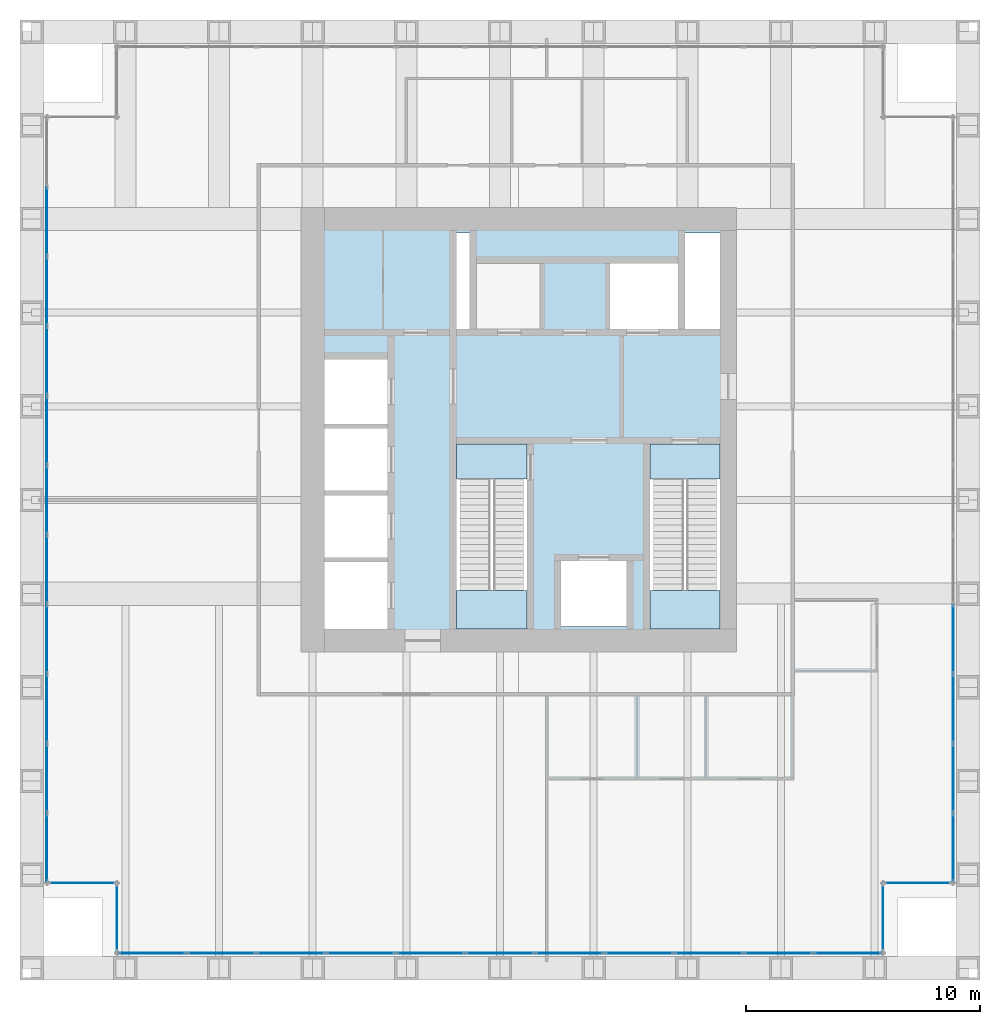
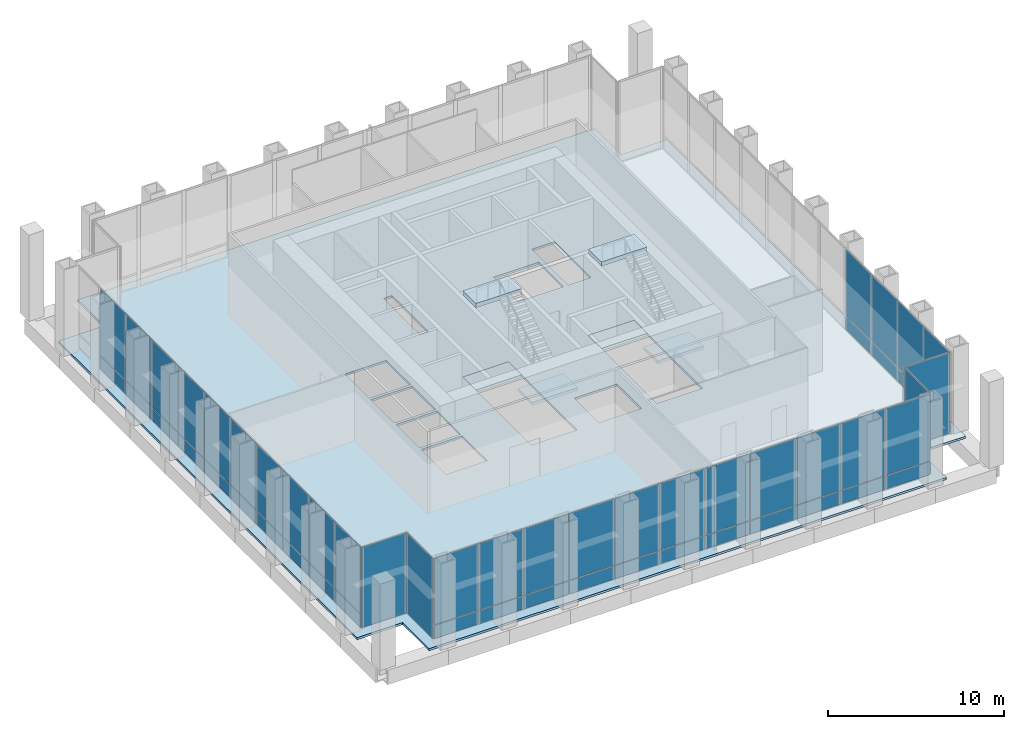
# One storey, part 8 of 12: 54 plates, 7 slabs, 9 elements without a shape of their own.
"""IFC4 building model written with IfcOpenShell, lengths in metres."""

from ifc_helpers import new_model, si_unit, direction, frame, origin, origin_2d, place, context, subcontext, project, spatial, polyline, rectangle, outline, extrude, material, layer, layer_set, type_object, element, aggregate, save


model = new_model("IFC4")

# Units and contexts
model_context = context("Model", 3, precision=1e-05, world=origin(), true_north=direction((0.0, 1.0)))
body_context = subcontext(model_context, "Body", "Model", "MODEL_VIEW")
ifc_project = project(units=[si_unit("LENGTHUNIT", "METRE"), si_unit("AREAUNIT", "SQUARE_METRE"), si_unit("VOLUMEUNIT", "CUBIC_METRE"), si_unit("PLANEANGLEUNIT", "RADIAN"), si_unit("MASSUNIT", "GRAM", prefix="KILO")], contexts=[model_context])

# Site, building, storey
site_placement = place(None, origin())
site = spatial("IfcSite", under=ifc_project, at=site_placement, CompositionType="ELEMENT")
building_placement = place(site_placement, origin())
building = spatial("IfcBuilding", under=site, at=building_placement, Name="Rimbunsela Tower", CompositionType="ELEMENT")
storey_placement = place(building_placement, frame((0.0, 0.0, 298.199951171875)))
storey = spatial("IfcBuildingStorey", under=building, at=storey_placement, Name="L72", CompositionType="ELEMENT", Elevation=298.199951171875)

# Slab
ifc_material_1 = material(Name="Concrete fc' 35 MPa", Category="concrete")
ifc_layer_1 = layer(ifc_material_1, 0.14990234375)
ifc_layer_set_1 = layer_set([ifc_layer_1], Name="Floor slab 150")
slab_type_1 = type_object("IfcSlabType", Name="Floor slab 150", PredefinedType="FLOOR", material=ifc_layer_set_1)
slab_1_placement = place(storey_placement, frame((0.0, 0.0, -0.14990234375)))
element("IfcSlab", 1, at=slab_1_placement, inside=storey, type_object=slab_type_1, Name="Floor slab L72", PredefinedType="FLOOR", context=body_context, shape_type="SweptSolid", body=[
    extrude(outline(polyline([(9.0, 4.0), (43.0, 4.0), (43.0, 7.0), (46.0, 7.0), (46.0, 41.0), (43.0, 41.0), (43.0, 44.0), (9.0, 44.0), (9.0, 41.0), (6.0, 41.0), (6.0, 7.0), (9.0, 7.0), (9.0, 4.0)]), holes=[polyline([(21.199951171875, 21.35009765625), (18.5, 21.35009765625), (18.5, 18.5), (21.199951171875, 18.5), (21.199951171875, 21.35009765625)]), polyline([(21.199951171875, 21.550048828125), (21.199951171875, 24.199951171875), (18.5, 24.199951171875), (18.5, 21.550048828125), (21.199951171875, 21.550048828125)]), polyline([(21.199951171875, 27.050048828125), (18.5, 27.050048828125), (18.5, 24.39990234375), (21.199951171875, 24.39990234375), (21.199951171875, 27.050048828125)]), polyline([(21.199951171875, 30.0), (18.5, 30.0), (18.5, 27.25), (21.199951171875, 27.25), (21.199951171875, 30.0)]), polyline([(27.14990234375, 26.39990234375), (24.14990234375, 26.39990234375), (24.14990234375, 18.60009765625), (27.14990234375, 18.60009765625), (27.14990234375, 26.39990234375)]), polyline([(24.699951171875, 31.300048828125), (24.699951171875, 35.39990234375), (24.14990234375, 35.39990234375), (24.14990234375, 31.300048828125), (24.699951171875, 31.300048828125)]), polyline([(31.39990234375, 21.39990234375), (28.60009765625, 21.39990234375), (28.60009765625, 18.60009765625), (31.39990234375, 18.60009765625), (31.39990234375, 21.39990234375)]), polyline([(33.60009765625, 34.10009765625), (30.60009765625, 34.10009765625), (30.60009765625, 31.300048828125), (33.60009765625, 31.300048828125), (33.60009765625, 34.10009765625)]), polyline([(35.39990234375, 18.60009765625), (35.39990234375, 26.39990234375), (32.39990234375, 26.39990234375), (32.39990234375, 18.60009765625), (35.39990234375, 18.60009765625)]), polyline([(35.39990234375, 31.300048828125), (35.39990234375, 35.39990234375), (33.89990234375, 35.39990234375), (33.89990234375, 31.300048828125), (35.39990234375, 31.300048828125)])]), origin(), (0.0, 0.0, 1.0), 0.14990234375),
])

# Curtain wall, plate
ifc_material_2 = material(Name="Aluminium curtain wall", Category="aluminium")
curtain_wall_type_1 = type_object("IfcCurtainWallType", Name="Corner glazing", PredefinedType="USERDEFINED", material=ifc_material_2)
curtain_wall_1_placement = place(storey_placement, origin())
curtain_wall_1 = element("IfcCurtainWall", 2, at=curtain_wall_1_placement, inside=storey, type_object=curtain_wall_type_1, Name="Corner glazing L72", ObjectType="CORNER GLAZING", PredefinedType="USERDEFINED")
ifc_material_3 = material(Name="Clear double glazing", Category="glass")
ifc_layer_2 = layer(ifc_material_3, 0.028076171875)
ifc_layer_set_2 = layer_set([ifc_layer_2], Name="Glazed panel clear")
plate_type_1 = type_object("IfcPlateType", Name="Glazed panel clear", PredefinedType="CURTAIN_PANEL", material=ifc_layer_set_2)
plate_1_placement = place(storey_placement, frame((42.35009765625, 6.14990234375, 0.06005859375), z_axis=(0.0, 0.0, 1.0), x_axis=(0.0, 1.0, 0.0)))
plate_1 = element("IfcPlate", 3, at=plate_1_placement, type_object=plate_type_1, Name="CW5 panel 1.1", PredefinedType="CURTAIN_PANEL", context=body_context, shape_type="SweptSolid", body=[
    extrude(rectangle(XDim=2.8798828125, YDim=0.028076171875, at=origin_2d()), origin(), (0.0, 0.0, 1.0), 5.580078125),
])
aggregate(curtain_wall_1, [plate_1])

curtain_wall_2_placement = place(storey_placement, origin())
curtain_wall_2 = element("IfcCurtainWall", 4, at=curtain_wall_2_placement, inside=storey, type_object=curtain_wall_type_1, Name="Corner glazing L72", ObjectType="CORNER GLAZING", PredefinedType="USERDEFINED")
plate_2_placement = place(storey_placement, frame((43.85009765625, 7.64990234375, 0.06005859375), z_axis=(0.0, 0.0, 1.0), x_axis=(1.0, 0.0, 0.0)))
plate_2 = element("IfcPlate", 5, at=plate_2_placement, type_object=plate_type_1, Name="CW5 panel 1.1", PredefinedType="CURTAIN_PANEL", context=body_context, shape_type="SweptSolid", body=[
    extrude(rectangle(XDim=2.8798828125, YDim=0.028076171875, at=origin_2d()), origin(), (0.0, 0.0, 1.0), 5.580078125),
])
aggregate(curtain_wall_2, [plate_2])

curtain_wall_3_placement = place(storey_placement, origin())
curtain_wall_3 = element("IfcCurtainWall", 6, at=curtain_wall_3_placement, inside=storey, type_object=curtain_wall_type_1, Name="Corner glazing L72", ObjectType="CORNER GLAZING", PredefinedType="USERDEFINED")
plate_3_placement = place(storey_placement, frame((8.14990234375, 7.64990234375, 0.06005859375), z_axis=(0.0, 0.0, 1.0), x_axis=(1.0, 0.0, 0.0)))
plate_3 = element("IfcPlate", 7, at=plate_3_placement, type_object=plate_type_1, Name="CW5 panel 1.1", PredefinedType="CURTAIN_PANEL", context=body_context, shape_type="SweptSolid", body=[
    extrude(rectangle(XDim=2.8798828125, YDim=0.028076171875, at=origin_2d()), origin(), (0.0, 0.0, 1.0), 5.580078125),
])
aggregate(curtain_wall_3, [plate_3])

curtain_wall_4_placement = place(storey_placement, origin())
curtain_wall_4 = element("IfcCurtainWall", 8, at=curtain_wall_4_placement, inside=storey, type_object=curtain_wall_type_1, Name="Corner glazing L72", ObjectType="CORNER GLAZING", PredefinedType="USERDEFINED")
plate_4_placement = place(storey_placement, frame((9.64990234375, 6.14990234375, 0.06005859375), z_axis=(0.0, 0.0, 1.0), x_axis=(0.0, -1.0, 0.0)))
plate_4 = element("IfcPlate", 9, at=plate_4_placement, type_object=plate_type_1, Name="CW5 panel 1.1", PredefinedType="CURTAIN_PANEL", context=body_context, shape_type="SweptSolid", body=[
    extrude(rectangle(XDim=2.8798828125, YDim=0.028076171875, at=origin_2d()), origin(), (0.0, 0.0, 1.0), 5.580078125),
])
aggregate(curtain_wall_4, [plate_4])

# Curtain wall, plates
ifc_material_4 = material(Name="Aluminium curtain wall", Category="aluminium")
curtain_wall_type_2 = type_object("IfcCurtainWallType", Name="Crown glazing", PredefinedType="USERDEFINED", material=ifc_material_4)
curtain_wall_5_placement = place(storey_placement, origin())
curtain_wall_5 = element("IfcCurtainWall", 10, at=curtain_wall_5_placement, inside=storey, type_object=curtain_wall_type_2, Name="Crown glazing L72", ObjectType="CROWN GLAZING", PredefinedType="USERDEFINED")
ifc_material_5 = material(Name="Laminated double glazing", Category="glass")
ifc_layer_3 = layer(ifc_material_5, 0.0400390625)
ifc_layer_set_3 = layer_set([ifc_layer_3], Name="Glazed panel laminated 40")
plate_type_2 = type_object("IfcPlateType", Name="Glazed panel laminated 40", PredefinedType="CURTAIN_PANEL", material=ifc_layer_set_3)
plate_5_placement = place(storey_placement, frame((45.35009765625, 9.1513671875, 0.06005859375), z_axis=(0.0, 0.0, 1.0), x_axis=(0.0, 1.0, 0.0)))
plate_5 = element("IfcPlate", 11, at=plate_5_placement, type_object=plate_type_2, Name="CW6 panel 1.1", PredefinedType="CURTAIN_PANEL", context=body_context, shape_type="SweptSolid", body=[
    extrude(rectangle(XDim=2.8828125, YDim=0.0400390625, at=origin_2d()), origin(), (0.0, 0.0, 1.0), 0.909912109375),
])
plate_6_placement = place(storey_placement, frame((45.35009765625, 9.1513671875, 1.02978515625), z_axis=(0.0, 0.0, 1.0), x_axis=(0.0, 1.0, 0.0)))
plate_6 = element("IfcPlate", 12, at=plate_6_placement, type_object=plate_type_2, Name="CW6 panel 1.2", PredefinedType="CURTAIN_PANEL", context=body_context, shape_type="SweptSolid", body=[
    extrude(rectangle(XDim=2.8828125, YDim=0.0400390625, at=origin_2d()), origin(), (0.0, 0.0, 1.0), 4.610107421875),
])
plate_7_placement = place(storey_placement, frame((45.35009765625, 12.109130859375, 0.06005859375), z_axis=(0.0, 0.0, 1.0), x_axis=(0.0, 1.0, 0.0)))
plate_7 = element("IfcPlate", 13, at=plate_7_placement, type_object=plate_type_2, Name="CW6 panel 2.1", PredefinedType="CURTAIN_PANEL", context=body_context, shape_type="SweptSolid", body=[
    extrude(rectangle(XDim=2.912841796875, YDim=0.0400390625, at=origin_2d()), origin(), (0.0, 0.0, 1.0), 0.909912109375),
])
plate_8_placement = place(storey_placement, frame((45.35009765625, 12.109130859375, 1.02978515625), z_axis=(0.0, 0.0, 1.0), x_axis=(0.0, 1.0, 0.0)))
plate_8 = element("IfcPlate", 14, at=plate_8_placement, type_object=plate_type_2, Name="CW6 panel 2.2", PredefinedType="CURTAIN_PANEL", context=body_context, shape_type="SweptSolid", body=[
    extrude(rectangle(XDim=2.912841796875, YDim=0.0400390625, at=origin_2d()), origin(), (0.0, 0.0, 1.0), 4.610107421875),
])
plate_9_placement = place(storey_placement, frame((45.35009765625, 15.081787109375, 0.06005859375), z_axis=(0.0, 0.0, 1.0), x_axis=(0.0, 1.0, 0.0)))
plate_9 = element("IfcPlate", 15, at=plate_9_placement, type_object=plate_type_2, Name="CW6 panel 3.1", PredefinedType="CURTAIN_PANEL", context=body_context, shape_type="SweptSolid", body=[
    extrude(rectangle(XDim=2.912841796875, YDim=0.0400390625, at=origin_2d()), origin(), (0.0, 0.0, 1.0), 0.909912109375),
])
plate_10_placement = place(storey_placement, frame((45.35009765625, 15.081787109375, 1.02978515625), z_axis=(0.0, 0.0, 1.0), x_axis=(0.0, 1.0, 0.0)))
plate_10 = element("IfcPlate", 16, at=plate_10_placement, type_object=plate_type_2, Name="CW6 panel 3.2", PredefinedType="CURTAIN_PANEL", context=body_context, shape_type="SweptSolid", body=[
    extrude(rectangle(XDim=2.912841796875, YDim=0.0400390625, at=origin_2d()), origin(), (0.0, 0.0, 1.0), 4.610107421875),
])
plate_11_placement = place(storey_placement, frame((45.35009765625, 18.054443359375, 0.06005859375), z_axis=(0.0, 0.0, 1.0), x_axis=(0.0, 1.0, 0.0)))
plate_11 = element("IfcPlate", 17, at=plate_11_placement, type_object=plate_type_2, Name="CW6 panel 4.1", PredefinedType="CURTAIN_PANEL", context=body_context, shape_type="SweptSolid", body=[
    extrude(rectangle(XDim=2.912841796875, YDim=0.0400390625, at=origin_2d()), origin(), (0.0, 0.0, 1.0), 0.909912109375),
])
plate_12_placement = place(storey_placement, frame((45.35009765625, 18.054443359375, 1.02978515625), z_axis=(0.0, 0.0, 1.0), x_axis=(0.0, 1.0, 0.0)))
plate_12 = element("IfcPlate", 18, at=plate_12_placement, type_object=plate_type_2, Name="CW6 panel 4.2", PredefinedType="CURTAIN_PANEL", context=body_context, shape_type="SweptSolid", body=[
    extrude(rectangle(XDim=2.912841796875, YDim=0.0400390625, at=origin_2d()), origin(), (0.0, 0.0, 1.0), 4.610107421875),
])
aggregate(curtain_wall_5, [plate_5, plate_6, plate_7, plate_8, plate_9, plate_10, plate_11, plate_12])

curtain_wall_6_placement = place(storey_placement, origin())
curtain_wall_6 = element("IfcCurtainWall", 19, at=curtain_wall_6_placement, inside=storey, type_object=curtain_wall_type_2, Name="Crown glazing L72", ObjectType="CROWN GLAZING", PredefinedType="USERDEFINED")
plate_13_placement = place(storey_placement, frame((6.64990234375, 35.890869140625, 0.06005859375), z_axis=(0.0, 0.0, 1.0), x_axis=(0.0, -1.0, 0.0)))
plate_13 = element("IfcPlate", 20, at=plate_13_placement, type_object=plate_type_2, Name="CW6 panel 2.1", PredefinedType="CURTAIN_PANEL", context=body_context, shape_type="SweptSolid", body=[
    extrude(rectangle(XDim=2.912841796875, YDim=0.0400390625, at=origin_2d()), origin(), (0.0, 0.0, 1.0), 0.909912109375),
])
plate_14_placement = place(storey_placement, frame((6.64990234375, 35.890869140625, 1.02978515625), z_axis=(0.0, 0.0, 1.0), x_axis=(0.0, -1.0, 0.0)))
plate_14 = element("IfcPlate", 21, at=plate_14_placement, type_object=plate_type_2, Name="CW6 panel 2.2", PredefinedType="CURTAIN_PANEL", context=body_context, shape_type="SweptSolid", body=[
    extrude(rectangle(XDim=2.912841796875, YDim=0.0400390625, at=origin_2d()), origin(), (0.0, 0.0, 1.0), 4.610107421875),
])
plate_15_placement = place(storey_placement, frame((6.64990234375, 32.918212890625, 0.06005859375), z_axis=(0.0, 0.0, 1.0), x_axis=(0.0, -1.0, 0.0)))
plate_15 = element("IfcPlate", 22, at=plate_15_placement, type_object=plate_type_2, Name="CW6 panel 3.1", PredefinedType="CURTAIN_PANEL", context=body_context, shape_type="SweptSolid", body=[
    extrude(rectangle(XDim=2.912841796875, YDim=0.0400390625, at=origin_2d()), origin(), (0.0, 0.0, 1.0), 0.909912109375),
])
plate_16_placement = place(storey_placement, frame((6.64990234375, 32.918212890625, 1.02978515625), z_axis=(0.0, 0.0, 1.0), x_axis=(0.0, -1.0, 0.0)))
plate_16 = element("IfcPlate", 23, at=plate_16_placement, type_object=plate_type_2, Name="CW6 panel 3.2", PredefinedType="CURTAIN_PANEL", context=body_context, shape_type="SweptSolid", body=[
    extrude(rectangle(XDim=2.912841796875, YDim=0.0400390625, at=origin_2d()), origin(), (0.0, 0.0, 1.0), 4.610107421875),
])
plate_17_placement = place(storey_placement, frame((6.64990234375, 29.945556640625, 0.06005859375), z_axis=(0.0, 0.0, 1.0), x_axis=(0.0, -1.0, 0.0)))
plate_17 = element("IfcPlate", 24, at=plate_17_placement, type_object=plate_type_2, Name="CW6 panel 4.1", PredefinedType="CURTAIN_PANEL", context=body_context, shape_type="SweptSolid", body=[
    extrude(rectangle(XDim=2.912841796875, YDim=0.0400390625, at=origin_2d()), origin(), (0.0, 0.0, 1.0), 0.909912109375),
])
plate_18_placement = place(storey_placement, frame((6.64990234375, 29.945556640625, 1.02978515625), z_axis=(0.0, 0.0, 1.0), x_axis=(0.0, -1.0, 0.0)))
plate_18 = element("IfcPlate", 25, at=plate_18_placement, type_object=plate_type_2, Name="CW6 panel 4.2", PredefinedType="CURTAIN_PANEL", context=body_context, shape_type="SweptSolid", body=[
    extrude(rectangle(XDim=2.912841796875, YDim=0.0400390625, at=origin_2d()), origin(), (0.0, 0.0, 1.0), 4.610107421875),
])
plate_19_placement = place(storey_placement, frame((6.64990234375, 26.97265625, 0.06005859375), z_axis=(0.0, 0.0, 1.0), x_axis=(0.0, -1.0, 0.0)))
plate_19 = element("IfcPlate", 26, at=plate_19_placement, type_object=plate_type_2, Name="CW6 panel 5.1", PredefinedType="CURTAIN_PANEL", context=body_context, shape_type="SweptSolid", body=[
    extrude(rectangle(XDim=2.912841796875, YDim=0.0400390625, at=origin_2d()), origin(), (0.0, 0.0, 1.0), 0.909912109375),
])
plate_20_placement = place(storey_placement, frame((6.64990234375, 26.97265625, 1.02978515625), z_axis=(0.0, 0.0, 1.0), x_axis=(0.0, -1.0, 0.0)))
plate_20 = element("IfcPlate", 27, at=plate_20_placement, type_object=plate_type_2, Name="CW6 panel 5.2", PredefinedType="CURTAIN_PANEL", context=body_context, shape_type="SweptSolid", body=[
    extrude(rectangle(XDim=2.912841796875, YDim=0.0400390625, at=origin_2d()), origin(), (0.0, 0.0, 1.0), 4.610107421875),
])
plate_21_placement = place(storey_placement, frame((6.64990234375, 24.0, 0.06005859375), z_axis=(0.0, 0.0, 1.0), x_axis=(0.0, -1.0, 0.0)))
plate_21 = element("IfcPlate", 28, at=plate_21_placement, type_object=plate_type_2, Name="CW6 panel 6.1", PredefinedType="CURTAIN_PANEL", context=body_context, shape_type="SweptSolid", body=[
    extrude(rectangle(XDim=2.912841796875, YDim=0.0400390625, at=origin_2d()), origin(), (0.0, 0.0, 1.0), 0.909912109375),
])
plate_22_placement = place(storey_placement, frame((6.64990234375, 24.0, 1.02978515625), z_axis=(0.0, 0.0, 1.0), x_axis=(0.0, -1.0, 0.0)))
plate_22 = element("IfcPlate", 29, at=plate_22_placement, type_object=plate_type_2, Name="CW6 panel 6.2", PredefinedType="CURTAIN_PANEL", context=body_context, shape_type="SweptSolid", body=[
    extrude(rectangle(XDim=2.912841796875, YDim=0.0400390625, at=origin_2d()), origin(), (0.0, 0.0, 1.0), 4.610107421875),
])
plate_23_placement = place(storey_placement, frame((6.64990234375, 21.02734375, 0.06005859375), z_axis=(0.0, 0.0, 1.0), x_axis=(0.0, -1.0, 0.0)))
plate_23 = element("IfcPlate", 30, at=plate_23_placement, type_object=plate_type_2, Name="CW6 panel 7.1", PredefinedType="CURTAIN_PANEL", context=body_context, shape_type="SweptSolid", body=[
    extrude(rectangle(XDim=2.912841796875, YDim=0.0400390625, at=origin_2d()), origin(), (0.0, 0.0, 1.0), 0.909912109375),
])
plate_24_placement = place(storey_placement, frame((6.64990234375, 21.02734375, 1.02978515625), z_axis=(0.0, 0.0, 1.0), x_axis=(0.0, -1.0, 0.0)))
plate_24 = element("IfcPlate", 31, at=plate_24_placement, type_object=plate_type_2, Name="CW6 panel 7.2", PredefinedType="CURTAIN_PANEL", context=body_context, shape_type="SweptSolid", body=[
    extrude(rectangle(XDim=2.912841796875, YDim=0.0400390625, at=origin_2d()), origin(), (0.0, 0.0, 1.0), 4.610107421875),
])
plate_25_placement = place(storey_placement, frame((6.64990234375, 18.054443359375, 0.06005859375), z_axis=(0.0, 0.0, 1.0), x_axis=(0.0, -1.0, 0.0)))
plate_25 = element("IfcPlate", 32, at=plate_25_placement, type_object=plate_type_2, Name="CW6 panel 8.1", PredefinedType="CURTAIN_PANEL", context=body_context, shape_type="SweptSolid", body=[
    extrude(rectangle(XDim=2.912841796875, YDim=0.0400390625, at=origin_2d()), origin(), (0.0, 0.0, 1.0), 0.909912109375),
])
plate_26_placement = place(storey_placement, frame((6.64990234375, 18.054443359375, 1.02978515625), z_axis=(0.0, 0.0, 1.0), x_axis=(0.0, -1.0, 0.0)))
plate_26 = element("IfcPlate", 33, at=plate_26_placement, type_object=plate_type_2, Name="CW6 panel 8.2", PredefinedType="CURTAIN_PANEL", context=body_context, shape_type="SweptSolid", body=[
    extrude(rectangle(XDim=2.912841796875, YDim=0.0400390625, at=origin_2d()), origin(), (0.0, 0.0, 1.0), 4.610107421875),
])
plate_27_placement = place(storey_placement, frame((6.64990234375, 15.081787109375, 0.06005859375), z_axis=(0.0, 0.0, 1.0), x_axis=(0.0, -1.0, 0.0)))
plate_27 = element("IfcPlate", 34, at=plate_27_placement, type_object=plate_type_2, Name="CW6 panel 9.1", PredefinedType="CURTAIN_PANEL", context=body_context, shape_type="SweptSolid", body=[
    extrude(rectangle(XDim=2.912841796875, YDim=0.0400390625, at=origin_2d()), origin(), (0.0, 0.0, 1.0), 0.909912109375),
])
plate_28_placement = place(storey_placement, frame((6.64990234375, 15.081787109375, 1.02978515625), z_axis=(0.0, 0.0, 1.0), x_axis=(0.0, -1.0, 0.0)))
plate_28 = element("IfcPlate", 35, at=plate_28_placement, type_object=plate_type_2, Name="CW6 panel 9.2", PredefinedType="CURTAIN_PANEL", context=body_context, shape_type="SweptSolid", body=[
    extrude(rectangle(XDim=2.912841796875, YDim=0.0400390625, at=origin_2d()), origin(), (0.0, 0.0, 1.0), 4.610107421875),
])
plate_29_placement = place(storey_placement, frame((6.64990234375, 12.109130859375, 0.06005859375), z_axis=(0.0, 0.0, 1.0), x_axis=(0.0, -1.0, 0.0)))
plate_29 = element("IfcPlate", 36, at=plate_29_placement, type_object=plate_type_2, Name="CW6 panel 10.1", PredefinedType="CURTAIN_PANEL", context=body_context, shape_type="SweptSolid", body=[
    extrude(rectangle(XDim=2.912841796875, YDim=0.0400390625, at=origin_2d()), origin(), (0.0, 0.0, 1.0), 0.909912109375),
])
plate_30_placement = place(storey_placement, frame((6.64990234375, 12.109130859375, 1.02978515625), z_axis=(0.0, 0.0, 1.0), x_axis=(0.0, -1.0, 0.0)))
plate_30 = element("IfcPlate", 37, at=plate_30_placement, type_object=plate_type_2, Name="CW6 panel 10.2", PredefinedType="CURTAIN_PANEL", context=body_context, shape_type="SweptSolid", body=[
    extrude(rectangle(XDim=2.912841796875, YDim=0.0400390625, at=origin_2d()), origin(), (0.0, 0.0, 1.0), 4.610107421875),
])
plate_31_placement = place(storey_placement, frame((6.64990234375, 9.1513671875, 0.06005859375), z_axis=(0.0, 0.0, 1.0), x_axis=(0.0, -1.0, 0.0)))
plate_31 = element("IfcPlate", 38, at=plate_31_placement, type_object=plate_type_2, Name="CW6 panel 11.1", PredefinedType="CURTAIN_PANEL", context=body_context, shape_type="SweptSolid", body=[
    extrude(rectangle(XDim=2.8828125, YDim=0.0400390625, at=origin_2d()), origin(), (0.0, 0.0, 1.0), 0.909912109375),
])
plate_32_placement = place(storey_placement, frame((6.64990234375, 9.1513671875, 1.02978515625), z_axis=(0.0, 0.0, 1.0), x_axis=(0.0, -1.0, 0.0)))
plate_32 = element("IfcPlate", 39, at=plate_32_placement, type_object=plate_type_2, Name="CW6 panel 11.2", PredefinedType="CURTAIN_PANEL", context=body_context, shape_type="SweptSolid", body=[
    extrude(rectangle(XDim=2.8828125, YDim=0.0400390625, at=origin_2d()), origin(), (0.0, 0.0, 1.0), 4.610107421875),
])
aggregate(curtain_wall_6, [plate_13, plate_14, plate_15, plate_16, plate_17, plate_18, plate_19, plate_20, plate_21, plate_22, plate_23, plate_24, plate_25, plate_26, plate_27, plate_28, plate_29, plate_30, plate_31, plate_32])

curtain_wall_7_placement = place(storey_placement, origin())
curtain_wall_7 = element("IfcCurtainWall", 40, at=curtain_wall_7_placement, inside=storey, type_object=curtain_wall_type_2, Name="Crown glazing L72", ObjectType="CROWN GLAZING", PredefinedType="USERDEFINED")
plate_33_placement = place(storey_placement, frame((11.1513671875, 4.64990234375, 0.06005859375), z_axis=(0.0, 0.0, 1.0), x_axis=(1.0, 0.0, 0.0)))
plate_33 = element("IfcPlate", 41, at=plate_33_placement, type_object=plate_type_2, Name="CW6 panel 1.1", PredefinedType="CURTAIN_PANEL", context=body_context, shape_type="SweptSolid", body=[
    extrude(rectangle(XDim=2.8828125, YDim=0.0400390625, at=origin_2d()), origin(), (0.0, 0.0, 1.0), 0.909912109375),
])
plate_34_placement = place(storey_placement, frame((11.1513671875, 4.64990234375, 1.02978515625), z_axis=(0.0, 0.0, 1.0), x_axis=(1.0, 0.0, 0.0)))
plate_34 = element("IfcPlate", 42, at=plate_34_placement, type_object=plate_type_2, Name="CW6 panel 1.2", PredefinedType="CURTAIN_PANEL", context=body_context, shape_type="SweptSolid", body=[
    extrude(rectangle(XDim=2.8828125, YDim=0.0400390625, at=origin_2d()), origin(), (0.0, 0.0, 1.0), 4.610107421875),
])
plate_35_placement = place(storey_placement, frame((14.109130859375, 4.64990234375, 0.06005859375), z_axis=(0.0, 0.0, 1.0), x_axis=(1.0, 0.0, 0.0)))
plate_35 = element("IfcPlate", 43, at=plate_35_placement, type_object=plate_type_2, Name="CW6 panel 2.1", PredefinedType="CURTAIN_PANEL", context=body_context, shape_type="SweptSolid", body=[
    extrude(rectangle(XDim=2.912841796875, YDim=0.0400390625, at=origin_2d()), origin(), (0.0, 0.0, 1.0), 0.909912109375),
])
plate_36_placement = place(storey_placement, frame((14.109130859375, 4.64990234375, 1.02978515625), z_axis=(0.0, 0.0, 1.0), x_axis=(1.0, 0.0, 0.0)))
plate_36 = element("IfcPlate", 44, at=plate_36_placement, type_object=plate_type_2, Name="CW6 panel 2.2", PredefinedType="CURTAIN_PANEL", context=body_context, shape_type="SweptSolid", body=[
    extrude(rectangle(XDim=2.912841796875, YDim=0.0400390625, at=origin_2d()), origin(), (0.0, 0.0, 1.0), 4.610107421875),
])
plate_37_placement = place(storey_placement, frame((17.081787109375, 4.64990234375, 0.06005859375), z_axis=(0.0, 0.0, 1.0), x_axis=(1.0, 0.0, 0.0)))
plate_37 = element("IfcPlate", 45, at=plate_37_placement, type_object=plate_type_2, Name="CW6 panel 3.1", PredefinedType="CURTAIN_PANEL", context=body_context, shape_type="SweptSolid", body=[
    extrude(rectangle(XDim=2.912841796875, YDim=0.0400390625, at=origin_2d()), origin(), (0.0, 0.0, 1.0), 0.909912109375),
])
plate_38_placement = place(storey_placement, frame((17.081787109375, 4.64990234375, 1.02978515625), z_axis=(0.0, 0.0, 1.0), x_axis=(1.0, 0.0, 0.0)))
plate_38 = element("IfcPlate", 46, at=plate_38_placement, type_object=plate_type_2, Name="CW6 panel 3.2", PredefinedType="CURTAIN_PANEL", context=body_context, shape_type="SweptSolid", body=[
    extrude(rectangle(XDim=2.912841796875, YDim=0.0400390625, at=origin_2d()), origin(), (0.0, 0.0, 1.0), 4.610107421875),
])
plate_39_placement = place(storey_placement, frame((20.054443359375, 4.64990234375, 0.06005859375), z_axis=(0.0, 0.0, 1.0), x_axis=(1.0, 0.0, 0.0)))
plate_39 = element("IfcPlate", 47, at=plate_39_placement, type_object=plate_type_2, Name="CW6 panel 4.1", PredefinedType="CURTAIN_PANEL", context=body_context, shape_type="SweptSolid", body=[
    extrude(rectangle(XDim=2.912841796875, YDim=0.0400390625, at=origin_2d()), origin(), (0.0, 0.0, 1.0), 0.909912109375),
])
plate_40_placement = place(storey_placement, frame((20.054443359375, 4.64990234375, 1.02978515625), z_axis=(0.0, 0.0, 1.0), x_axis=(1.0, 0.0, 0.0)))
plate_40 = element("IfcPlate", 48, at=plate_40_placement, type_object=plate_type_2, Name="CW6 panel 4.2", PredefinedType="CURTAIN_PANEL", context=body_context, shape_type="SweptSolid", body=[
    extrude(rectangle(XDim=2.912841796875, YDim=0.0400390625, at=origin_2d()), origin(), (0.0, 0.0, 1.0), 4.610107421875),
])
plate_41_placement = place(storey_placement, frame((23.02734375, 4.64990234375, 0.06005859375), z_axis=(0.0, 0.0, 1.0), x_axis=(1.0, 0.0, 0.0)))
plate_41 = element("IfcPlate", 49, at=plate_41_placement, type_object=plate_type_2, Name="CW6 panel 5.1", PredefinedType="CURTAIN_PANEL", context=body_context, shape_type="SweptSolid", body=[
    extrude(rectangle(XDim=2.912841796875, YDim=0.0400390625, at=origin_2d()), origin(), (0.0, 0.0, 1.0), 0.909912109375),
])
plate_42_placement = place(storey_placement, frame((23.02734375, 4.64990234375, 1.02978515625), z_axis=(0.0, 0.0, 1.0), x_axis=(1.0, 0.0, 0.0)))
plate_42 = element("IfcPlate", 50, at=plate_42_placement, type_object=plate_type_2, Name="CW6 panel 5.2", PredefinedType="CURTAIN_PANEL", context=body_context, shape_type="SweptSolid", body=[
    extrude(rectangle(XDim=2.912841796875, YDim=0.0400390625, at=origin_2d()), origin(), (0.0, 0.0, 1.0), 4.610107421875),
])
plate_43_placement = place(storey_placement, frame((26.0, 4.64990234375, 0.06005859375), z_axis=(0.0, 0.0, 1.0), x_axis=(1.0, 0.0, 0.0)))
plate_43 = element("IfcPlate", 51, at=plate_43_placement, type_object=plate_type_2, Name="CW6 panel 6.1", PredefinedType="CURTAIN_PANEL", context=body_context, shape_type="SweptSolid", body=[
    extrude(rectangle(XDim=2.912841796875, YDim=0.0400390625, at=origin_2d()), origin(), (0.0, 0.0, 1.0), 0.909912109375),
])
plate_44_placement = place(storey_placement, frame((26.0, 4.64990234375, 1.02978515625), z_axis=(0.0, 0.0, 1.0), x_axis=(1.0, 0.0, 0.0)))
plate_44 = element("IfcPlate", 52, at=plate_44_placement, type_object=plate_type_2, Name="CW6 panel 6.2", PredefinedType="CURTAIN_PANEL", context=body_context, shape_type="SweptSolid", body=[
    extrude(rectangle(XDim=2.912841796875, YDim=0.0400390625, at=origin_2d()), origin(), (0.0, 0.0, 1.0), 4.610107421875),
])
plate_45_placement = place(storey_placement, frame((28.97265625, 4.64990234375, 0.06005859375), z_axis=(0.0, 0.0, 1.0), x_axis=(1.0, 0.0, 0.0)))
plate_45 = element("IfcPlate", 53, at=plate_45_placement, type_object=plate_type_2, Name="CW6 panel 7.1", PredefinedType="CURTAIN_PANEL", context=body_context, shape_type="SweptSolid", body=[
    extrude(rectangle(XDim=2.912841796875, YDim=0.0400390625, at=origin_2d()), origin(), (0.0, 0.0, 1.0), 0.909912109375),
])
plate_46_placement = place(storey_placement, frame((28.97265625, 4.64990234375, 1.02978515625), z_axis=(0.0, 0.0, 1.0), x_axis=(1.0, 0.0, 0.0)))
plate_46 = element("IfcPlate", 54, at=plate_46_placement, type_object=plate_type_2, Name="CW6 panel 7.2", PredefinedType="CURTAIN_PANEL", context=body_context, shape_type="SweptSolid", body=[
    extrude(rectangle(XDim=2.912841796875, YDim=0.0400390625, at=origin_2d()), origin(), (0.0, 0.0, 1.0), 4.610107421875),
])
plate_47_placement = place(storey_placement, frame((31.945556640625, 4.64990234375, 0.06005859375), z_axis=(0.0, 0.0, 1.0), x_axis=(1.0, 0.0, 0.0)))
plate_47 = element("IfcPlate", 55, at=plate_47_placement, type_object=plate_type_2, Name="CW6 panel 8.1", PredefinedType="CURTAIN_PANEL", context=body_context, shape_type="SweptSolid", body=[
    extrude(rectangle(XDim=2.912841796875, YDim=0.0400390625, at=origin_2d()), origin(), (0.0, 0.0, 1.0), 0.909912109375),
])
plate_48_placement = place(storey_placement, frame((31.945556640625, 4.64990234375, 1.02978515625), z_axis=(0.0, 0.0, 1.0), x_axis=(1.0, 0.0, 0.0)))
plate_48 = element("IfcPlate", 56, at=plate_48_placement, type_object=plate_type_2, Name="CW6 panel 8.2", PredefinedType="CURTAIN_PANEL", context=body_context, shape_type="SweptSolid", body=[
    extrude(rectangle(XDim=2.912841796875, YDim=0.0400390625, at=origin_2d()), origin(), (0.0, 0.0, 1.0), 4.610107421875),
])
plate_49_placement = place(storey_placement, frame((34.918212890625, 4.64990234375, 0.06005859375), z_axis=(0.0, 0.0, 1.0), x_axis=(1.0, 0.0, 0.0)))
plate_49 = element("IfcPlate", 57, at=plate_49_placement, type_object=plate_type_2, Name="CW6 panel 9.1", PredefinedType="CURTAIN_PANEL", context=body_context, shape_type="SweptSolid", body=[
    extrude(rectangle(XDim=2.912841796875, YDim=0.0400390625, at=origin_2d()), origin(), (0.0, 0.0, 1.0), 0.909912109375),
])
plate_50_placement = place(storey_placement, frame((34.918212890625, 4.64990234375, 1.02978515625), z_axis=(0.0, 0.0, 1.0), x_axis=(1.0, 0.0, 0.0)))
plate_50 = element("IfcPlate", 58, at=plate_50_placement, type_object=plate_type_2, Name="CW6 panel 9.2", PredefinedType="CURTAIN_PANEL", context=body_context, shape_type="SweptSolid", body=[
    extrude(rectangle(XDim=2.912841796875, YDim=0.0400390625, at=origin_2d()), origin(), (0.0, 0.0, 1.0), 4.610107421875),
])
plate_51_placement = place(storey_placement, frame((37.890869140625, 4.64990234375, 0.06005859375), z_axis=(0.0, 0.0, 1.0), x_axis=(1.0, 0.0, 0.0)))
plate_51 = element("IfcPlate", 59, at=plate_51_placement, type_object=plate_type_2, Name="CW6 panel 10.1", PredefinedType="CURTAIN_PANEL", context=body_context, shape_type="SweptSolid", body=[
    extrude(rectangle(XDim=2.912841796875, YDim=0.0400390625, at=origin_2d()), origin(), (0.0, 0.0, 1.0), 0.909912109375),
])
plate_52_placement = place(storey_placement, frame((37.890869140625, 4.64990234375, 1.02978515625), z_axis=(0.0, 0.0, 1.0), x_axis=(1.0, 0.0, 0.0)))
plate_52 = element("IfcPlate", 60, at=plate_52_placement, type_object=plate_type_2, Name="CW6 panel 10.2", PredefinedType="CURTAIN_PANEL", context=body_context, shape_type="SweptSolid", body=[
    extrude(rectangle(XDim=2.912841796875, YDim=0.0400390625, at=origin_2d()), origin(), (0.0, 0.0, 1.0), 4.610107421875),
])
plate_53_placement = place(storey_placement, frame((40.8486328125, 4.64990234375, 0.06005859375), z_axis=(0.0, 0.0, 1.0), x_axis=(1.0, 0.0, 0.0)))
plate_53 = element("IfcPlate", 61, at=plate_53_placement, type_object=plate_type_2, Name="CW6 panel 11.1", PredefinedType="CURTAIN_PANEL", context=body_context, shape_type="SweptSolid", body=[
    extrude(rectangle(XDim=2.8828125, YDim=0.0400390625, at=origin_2d()), origin(), (0.0, 0.0, 1.0), 0.909912109375),
])
plate_54_placement = place(storey_placement, frame((40.8486328125, 4.64990234375, 1.02978515625), z_axis=(0.0, 0.0, 1.0), x_axis=(1.0, 0.0, 0.0)))
plate_54 = element("IfcPlate", 62, at=plate_54_placement, type_object=plate_type_2, Name="CW6 panel 11.2", PredefinedType="CURTAIN_PANEL", context=body_context, shape_type="SweptSolid", body=[
    extrude(rectangle(XDim=2.8828125, YDim=0.0400390625, at=origin_2d()), origin(), (0.0, 0.0, 1.0), 4.610107421875),
])
aggregate(curtain_wall_7, [plate_33, plate_34, plate_35, plate_36, plate_37, plate_38, plate_39, plate_40, plate_41, plate_42, plate_43, plate_44, plate_45, plate_46, plate_47, plate_48, plate_49, plate_50, plate_51, plate_52, plate_53, plate_54])

# Stair, slabs
ifc_material_6 = material(Name="Concrete fc' 35 MPa", Category="concrete")
stair_type = type_object("IfcStairType", Name="Exit stair 36 risers", PredefinedType="HALF_TURN_STAIR", material=ifc_material_6)
stair_1_placement = place(storey_placement, origin())
stair_1 = element("IfcStair", 63, at=stair_1_placement, inside=storey, type_object=stair_type, Name="Exit stair A L72", PredefinedType="HALF_TURN_STAIR")
ifc_material_7 = material(Name="Concrete fc' 35 MPa", Category="concrete")
ifc_layer_4 = layer(ifc_material_7, 0.199951171875)
ifc_layer_set_4 = layer_set([ifc_layer_4], Name="Stair landing 200")
slab_type_2 = type_object("IfcSlabType", Name="Stair landing 200", PredefinedType="LANDING", material=ifc_layer_set_4)
slab_2_placement = place(storey_placement, frame((0.0, 0.0, -0.199951171875)))
slab_2 = element("IfcSlab", 64, at=slab_2_placement, type_object=slab_type_2, Name="ST-A landing 1", PredefinedType="LANDING", context=body_context, shape_type="SweptSolid", body=[
    extrude(outline(polyline([(24.14990234375, 24.89990234375), (27.14990234375, 24.89990234375), (27.14990234375, 26.39990234375), (24.14990234375, 26.39990234375), (24.14990234375, 24.89990234375)])), origin(), (0.0, 0.0, 1.0), 0.199951171875),
])
slab_3_placement = place(storey_placement, frame((0.0, 0.0, 2.800048828125)))
slab_3 = element("IfcSlab", 65, at=slab_3_placement, type_object=slab_type_2, Name="ST-A landing 2", PredefinedType="LANDING", context=body_context, shape_type="SweptSolid", body=[
    extrude(outline(polyline([(24.14990234375, 18.5), (27.14990234375, 18.5), (27.14990234375, 20.139892578125), (24.14990234375, 20.139892578125), (24.14990234375, 18.5)])), origin(), (0.0, 0.0, 1.0), 0.199951171875),
])
slab_4_placement = place(storey_placement, frame((0.0, 0.0, 5.699951171875)))
slab_4 = element("IfcSlab", 66, at=slab_4_placement, type_object=slab_type_2, Name="ST-A landing 3", PredefinedType="LANDING", context=body_context, shape_type="SweptSolid", body=[
    extrude(outline(polyline([(24.14990234375, 24.89990234375), (27.14990234375, 24.89990234375), (27.14990234375, 26.39990234375), (24.14990234375, 26.39990234375), (24.14990234375, 24.89990234375)])), origin(), (0.0, 0.0, 1.0), 0.300048828125),
])
aggregate(stair_1, [slab_2, slab_3, slab_4])

stair_2_placement = place(storey_placement, origin())
stair_2 = element("IfcStair", 67, at=stair_2_placement, inside=storey, type_object=stair_type, Name="Exit stair B L72", PredefinedType="HALF_TURN_STAIR")
slab_5_placement = place(storey_placement, frame((0.0, 0.0, -0.199951171875)))
slab_5 = element("IfcSlab", 68, at=slab_5_placement, type_object=slab_type_2, Name="ST-B landing 1", PredefinedType="LANDING", context=body_context, shape_type="SweptSolid", body=[
    extrude(outline(polyline([(32.39990234375, 24.89990234375), (35.39990234375, 24.89990234375), (35.39990234375, 26.39990234375), (32.39990234375, 26.39990234375), (32.39990234375, 24.89990234375)])), origin(), (0.0, 0.0, 1.0), 0.199951171875),
])
slab_6_placement = place(storey_placement, frame((0.0, 0.0, 2.800048828125)))
slab_6 = element("IfcSlab", 69, at=slab_6_placement, type_object=slab_type_2, Name="ST-B landing 2", PredefinedType="LANDING", context=body_context, shape_type="SweptSolid", body=[
    extrude(outline(polyline([(32.39990234375, 18.5), (35.39990234375, 18.5), (35.39990234375, 20.139892578125), (32.39990234375, 20.139892578125), (32.39990234375, 18.5)])), origin(), (0.0, 0.0, 1.0), 0.199951171875),
])
slab_7_placement = place(storey_placement, frame((0.0, 0.0, 5.699951171875)))
slab_7 = element("IfcSlab", 70, at=slab_7_placement, type_object=slab_type_2, Name="ST-B landing 3", PredefinedType="LANDING", context=body_context, shape_type="SweptSolid", body=[
    extrude(outline(polyline([(32.39990234375, 24.89990234375), (35.39990234375, 24.89990234375), (35.39990234375, 26.39990234375), (32.39990234375, 26.39990234375), (32.39990234375, 24.89990234375)])), origin(), (0.0, 0.0, 1.0), 0.300048828125),
])
aggregate(stair_2, [slab_5, slab_6, slab_7])

save(model, "model.ifc")
